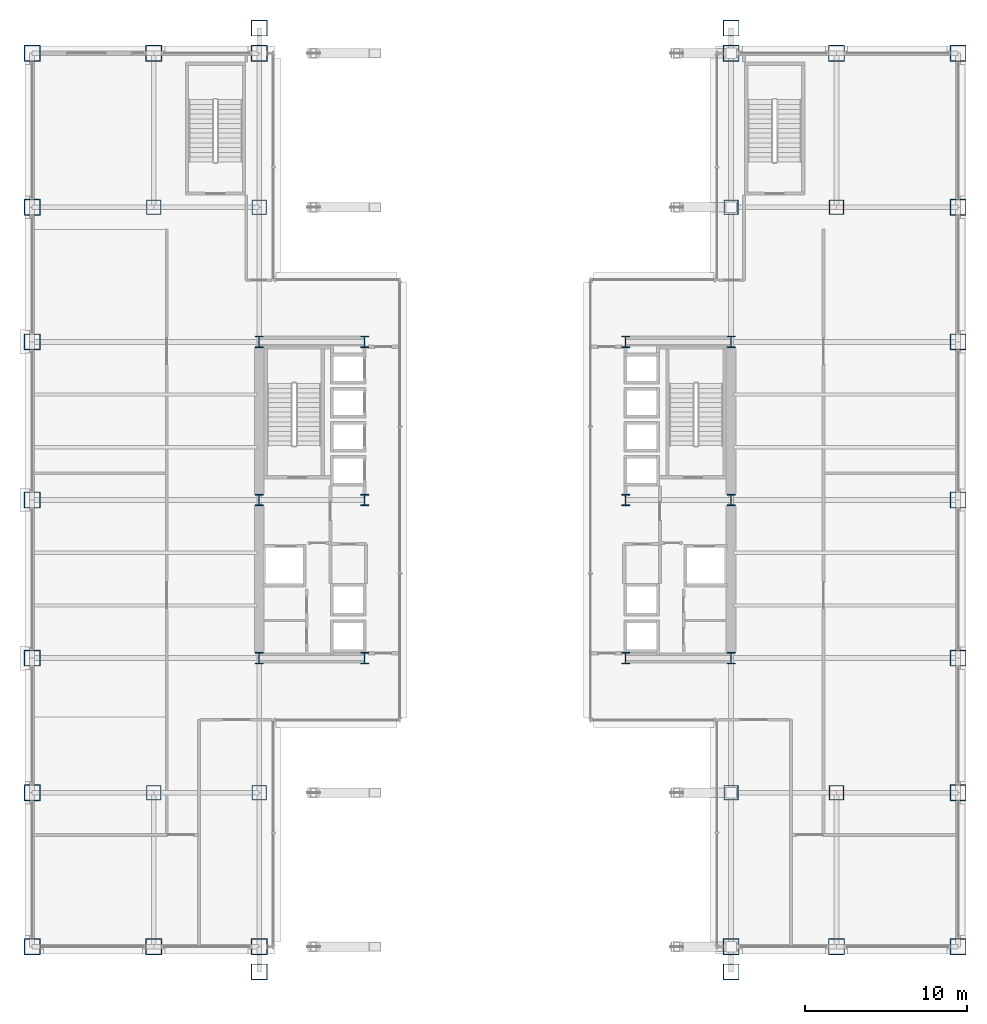
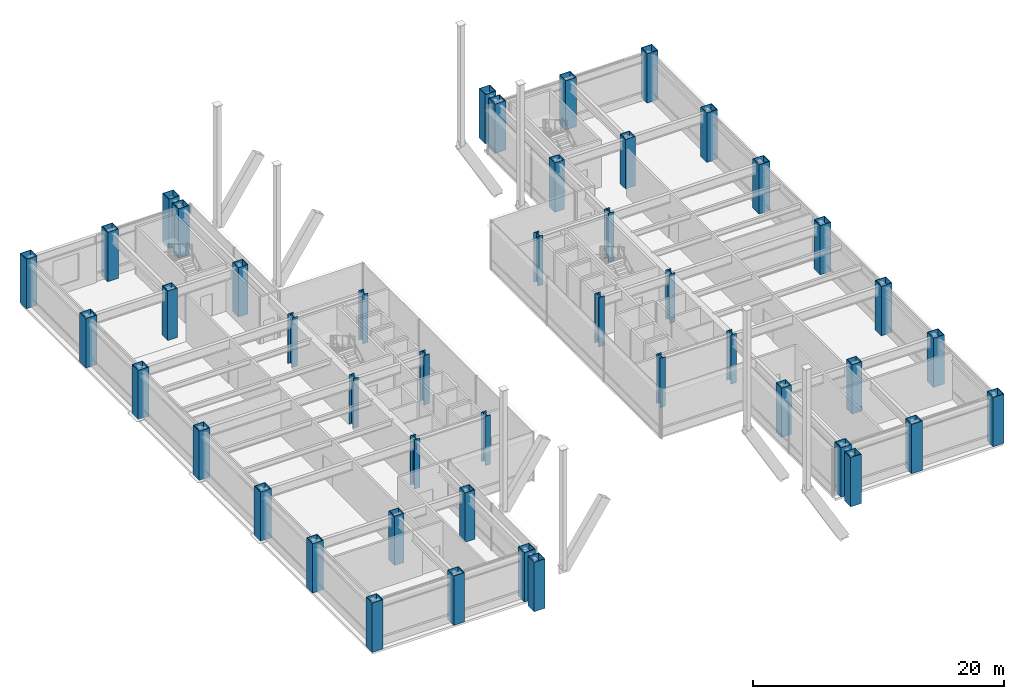
# One storey, part 1 of 40: 46 columns.
"""IFC4 building model written with IfcOpenShell, lengths in metres."""

from ifc_helpers import new_model, si_unit, direction, frame, origin, origin_2d, place, context, subcontext, project, spatial, hollow_rectangle, i_section, extrude, material, material_profile, profile_set, type_object, element, save


model = new_model("IFC4")

# Units and contexts
model_context = context("Model", 3, precision=1e-05, world=origin(), true_north=direction((0.0, 1.0)))
body_context = subcontext(model_context, "Body", "Model", "MODEL_VIEW")
ifc_project = project(units=[si_unit("LENGTHUNIT", "METRE"), si_unit("AREAUNIT", "SQUARE_METRE"), si_unit("VOLUMEUNIT", "CUBIC_METRE"), si_unit("PLANEANGLEUNIT", "RADIAN"), si_unit("MASSUNIT", "GRAM", prefix="KILO")], contexts=[model_context])

# Site, building, storey
site_placement = place(None, origin())
site = spatial("IfcSite", under=ifc_project, at=site_placement, CompositionType="ELEMENT")
building_placement = place(site_placement, origin())
building = spatial("IfcBuilding", under=site, at=building_placement, Name="Brelmoor Portico Tower", CompositionType="ELEMENT")
storey_placement = place(building_placement, frame((0.0, 0.0, 4.800048828125)))
storey = spatial("IfcBuildingStorey", under=building, at=storey_placement, Name="L01", CompositionType="ELEMENT", Elevation=4.800048828125)

# Columns
ifc_material_1 = material(Name="Steel Q420B", Category="steel")
ifc_material_profile_1 = material_profile(ifc_material_1, hollow_rectangle(XDim=1.0, YDim=1.0, WallThickness=0.050048828125, at=origin_2d()), Name="BOX 1000x1000x50")
ifc_profile_set_1 = profile_set([ifc_material_profile_1], Name="Steel Q420B")
column_type_1 = type_object("IfcColumnType", Name="COL-MEGA-1000", PredefinedType="COLUMN", material=ifc_profile_set_1)
for number, where, z_axis, x_axis, name in (
    (1, (-28.550048828125, -27.550048828125, 0.0), (0.0, 0.0, 1.0), (1.0, 0.0, 0.0), "L01 Perimeter Mega-Column PS01"),
    (2, (-21.050048828125, -27.550048828125, 0.0), (0.0, 0.0, 1.0), (1.0, 0.0, 0.0), "L01 Perimeter Mega-Column PS02"),
    (3, (-14.550048828125, -27.550048828125, 0.0), (0.0, 0.0, 1.0), (1.0, 0.0, 0.0), "L01 Perimeter Mega-Column PS03"),
    (4, (14.550048828125, -27.550048828125, 0.0), (0.0, 0.0, 1.0), (1.0, 0.0, 0.0), "L01 Perimeter Mega-Column PS04"),
    (5, (21.050048828125, -27.550048828125, 0.0), (0.0, 0.0, 1.0), (1.0, 0.0, 0.0), "L01 Perimeter Mega-Column PS05"),
    (6, (28.550048828125, -27.550048828125, 0.0), (0.0, 0.0, 1.0), (1.0, 0.0, 0.0), "L01 Perimeter Mega-Column PS06"),
    (7, (-28.550048828125, 27.550048828125, 0.0), (0.0, 0.0, 1.0), (1.0, 0.0, 0.0), "L01 Perimeter Mega-Column PN07"),
    (8, (-21.050048828125, 27.550048828125, 0.0), (0.0, 0.0, 1.0), (1.0, 0.0, 0.0), "L01 Perimeter Mega-Column PN08"),
    (9, (-14.550048828125, 27.550048828125, 0.0), (0.0, 0.0, 1.0), (1.0, 0.0, 0.0), "L01 Perimeter Mega-Column PN09"),
    (10, (14.550048828125, 27.550048828125, 0.0), (0.0, 0.0, 1.0), (1.0, 0.0, 0.0), "L01 Perimeter Mega-Column PN10"),
    (11, (21.050048828125, 27.550048828125, 0.0), (0.0, 0.0, 1.0), (1.0, 0.0, 0.0), "L01 Perimeter Mega-Column PN11"),
    (12, (28.550048828125, 27.550048828125, 0.0), (0.0, 0.0, 1.0), (1.0, 0.0, 0.0), "L01 Perimeter Mega-Column PN12"),
    (13, (-28.550048828125, -18.050048828125, 0.0), (0.0, 0.0, 1.0), (0.0, 1.0, 0.0), "L01 Perimeter Mega-Column PW13"),
    (14, (28.550048828125, -18.050048828125, 0.0), (0.0, 0.0, 1.0), (0.0, 1.0, 0.0), "L01 Perimeter Mega-Column PE14"),
    (15, (-28.550048828125, -9.75, 0.0), (0.0, 0.0, 1.0), (0.0, 1.0, 0.0), "L01 Perimeter Mega-Column PW15"),
    (16, (28.550048828125, -9.75, 0.0), (0.0, 0.0, 1.0), (0.0, 1.0, 0.0), "L01 Perimeter Mega-Column PE16"),
    (17, (-28.550048828125, 0.0, 0.0), (0.0, 0.0, 1.0), (0.0, 1.0, 0.0), "L01 Perimeter Mega-Column PW17"),
    (18, (28.550048828125, 0.0, 0.0), (0.0, 0.0, 1.0), (0.0, 1.0, 0.0), "L01 Perimeter Mega-Column PE18"),
    (19, (-28.550048828125, 9.75, 0.0), (0.0, 0.0, 1.0), (0.0, 1.0, 0.0), "L01 Perimeter Mega-Column PW19"),
    (20, (28.550048828125, 9.75, 0.0), (0.0, 0.0, 1.0), (0.0, 1.0, 0.0), "L01 Perimeter Mega-Column PE20"),
    (21, (-28.550048828125, 18.050048828125, 0.0), (0.0, 0.0, 1.0), (0.0, 1.0, 0.0), "L01 Perimeter Mega-Column PW21"),
    (22, (28.550048828125, 18.050048828125, 0.0), (0.0, 0.0, 1.0), (0.0, 1.0, 0.0), "L01 Perimeter Mega-Column PE22"),
    (23, (-14.550048828125, -29.10009765625, 0.0), (0.0, 0.0, 1.0), (1.0, 0.0, 0.0), "L01 Giant Arch Entrance Portal Pier EP-SW"),
    (24, (14.550048828125, -29.10009765625, 0.0), (0.0, 0.0, 1.0), (1.0, 0.0, 0.0), "L01 Giant Arch Entrance Portal Pier EP-SE"),
    (25, (-14.550048828125, 29.10009765625, 0.0), (0.0, 0.0, 1.0), (1.0, 0.0, 0.0), "L01 Giant Arch Entrance Portal Pier EP-NW"),
    (26, (14.550048828125, 29.10009765625, 0.0), (0.0, 0.0, 1.0), (1.0, 0.0, 0.0), "L01 Giant Arch Entrance Portal Pier EP-NE"),
):
    element("IfcColumn", number, at=place(storey_placement, frame(where, z_axis=z_axis, x_axis=x_axis)), inside=storey, type_object=column_type_1, Name=name, PredefinedType="COLUMN", context=body_context, shape_type="SweptSolid", body=[
        extrude(hollow_rectangle(XDim=1.0, YDim=1.0, WallThickness=0.050048828125, at=origin_2d()), origin(), (0.0, 0.0, 1.0), 4.800048828125),
    ])
ifc_material_2 = material(Name="Steel Q355B", Category="steel")
ifc_material_profile_2 = material_profile(ifc_material_2, hollow_rectangle(XDim=0.89990234375, YDim=0.89990234375, WallThickness=0.044921875, at=origin_2d()), Name="BOX 900x900x45")
ifc_profile_set_2 = profile_set([ifc_material_profile_2], Name="Steel Q355B")
column_type_2 = type_object("IfcColumnType", Name="COL-MEGA-900", PredefinedType="COLUMN", material=ifc_profile_set_2)
for number, where, z_axis, x_axis, name in (
    (27, (-21.050048828125, -18.050048828125, 0.0), (0.0, 0.0, 1.0), (1.0, 0.0, 0.0), "L01 Podium Pier Column PP-SW1"),
    (28, (-14.550048828125, -18.050048828125, 0.0), (0.0, 0.0, 1.0), (1.0, 0.0, 0.0), "L01 Podium Pier Column PP-SW2"),
    (29, (-21.050048828125, 18.050048828125, 0.0), (0.0, 0.0, 1.0), (1.0, 0.0, 0.0), "L01 Podium Pier Column PP-NW1"),
    (30, (-14.550048828125, 18.050048828125, 0.0), (0.0, 0.0, 1.0), (1.0, 0.0, 0.0), "L01 Podium Pier Column PP-NW2"),
    (31, (14.550048828125, -18.050048828125, 0.0), (0.0, 0.0, 1.0), (1.0, 0.0, 0.0), "L01 Podium Pier Column PP-SE1"),
    (32, (21.050048828125, -18.050048828125, 0.0), (0.0, 0.0, 1.0), (1.0, 0.0, 0.0), "L01 Podium Pier Column PP-SE2"),
    (33, (14.550048828125, 18.050048828125, 0.0), (0.0, 0.0, 1.0), (1.0, 0.0, 0.0), "L01 Podium Pier Column PP-NE1"),
    (34, (21.050048828125, 18.050048828125, 0.0), (0.0, 0.0, 1.0), (1.0, 0.0, 0.0), "L01 Podium Pier Column PP-NE2"),
):
    element("IfcColumn", number, at=place(storey_placement, frame(where, z_axis=z_axis, x_axis=x_axis)), inside=storey, type_object=column_type_2, Name=name, PredefinedType="COLUMN", context=body_context, shape_type="SweptSolid", body=[
        extrude(hollow_rectangle(XDim=0.89990234375, YDim=0.89990234375, WallThickness=0.044921875, at=origin_2d()), origin(), (0.0, 0.0, 1.0), 4.800048828125),
    ])
ifc_material_profile_3 = material_profile(ifc_material_1, i_section(OverallWidth=0.5, OverallDepth=0.699951171875, WebThickness=0.028076171875, FlangeThickness=0.044921875, at=origin_2d()), Name="HW 700x500x28x45")
ifc_profile_set_3 = profile_set([ifc_material_profile_3], Name="Steel Q420B")
column_type_3 = type_object("IfcColumnType", Name="COL-SPINE-700", PredefinedType="COLUMN", material=ifc_profile_set_3)
for number, where, z_axis, x_axis, name in (
    (35, (-14.550048828125, -9.75, 0.0), (0.0, 0.0, 1.0), (1.0, 0.0, 0.0), "L01 Core Spine Column CW-SW"),
    (36, (-14.550048828125, 0.0, 0.0), (0.0, 0.0, 1.0), (1.0, 0.0, 0.0), "L01 Core Spine Column CW-MW"),
    (37, (-14.550048828125, 9.75, 0.0), (0.0, 0.0, 1.0), (1.0, 0.0, 0.0), "L01 Core Spine Column CW-NW"),
    (38, (-8.050048828125, -9.75, 0.0), (0.0, 0.0, 1.0), (1.0, 0.0, 0.0), "L01 Core Spine Column CW-SE"),
    (39, (-8.050048828125, 0.0, 0.0), (0.0, 0.0, 1.0), (1.0, 0.0, 0.0), "L01 Core Spine Column CW-ME"),
    (40, (-8.050048828125, 9.75, 0.0), (0.0, 0.0, 1.0), (1.0, 0.0, 0.0), "L01 Core Spine Column CW-NE"),
    (41, (8.050048828125, -9.75, 0.0), (0.0, 0.0, 1.0), (1.0, 0.0, 0.0), "L01 Core Spine Column CE-SW"),
    (42, (8.050048828125, 0.0, 0.0), (0.0, 0.0, 1.0), (1.0, 0.0, 0.0), "L01 Core Spine Column CE-MW"),
    (43, (8.050048828125, 9.75, 0.0), (0.0, 0.0, 1.0), (1.0, 0.0, 0.0), "L01 Core Spine Column CE-NW"),
    (44, (14.550048828125, -9.75, 0.0), (0.0, 0.0, 1.0), (1.0, 0.0, 0.0), "L01 Core Spine Column CE-SE"),
    (45, (14.550048828125, 0.0, 0.0), (0.0, 0.0, 1.0), (1.0, 0.0, 0.0), "L01 Core Spine Column CE-ME"),
    (46, (14.550048828125, 9.75, 0.0), (0.0, 0.0, 1.0), (1.0, 0.0, 0.0), "L01 Core Spine Column CE-NE"),
):
    element("IfcColumn", number, at=place(storey_placement, frame(where, z_axis=z_axis, x_axis=x_axis)), inside=storey, type_object=column_type_3, Name=name, PredefinedType="COLUMN", context=body_context, shape_type="SweptSolid", body=[
        extrude(i_section(OverallWidth=0.5, OverallDepth=0.699951171875, WebThickness=0.028076171875, FlangeThickness=0.044921875, at=origin_2d()), origin(), (0.0, 0.0, 1.0), 4.800048828125),
    ])

save(model, "model.ifc")
